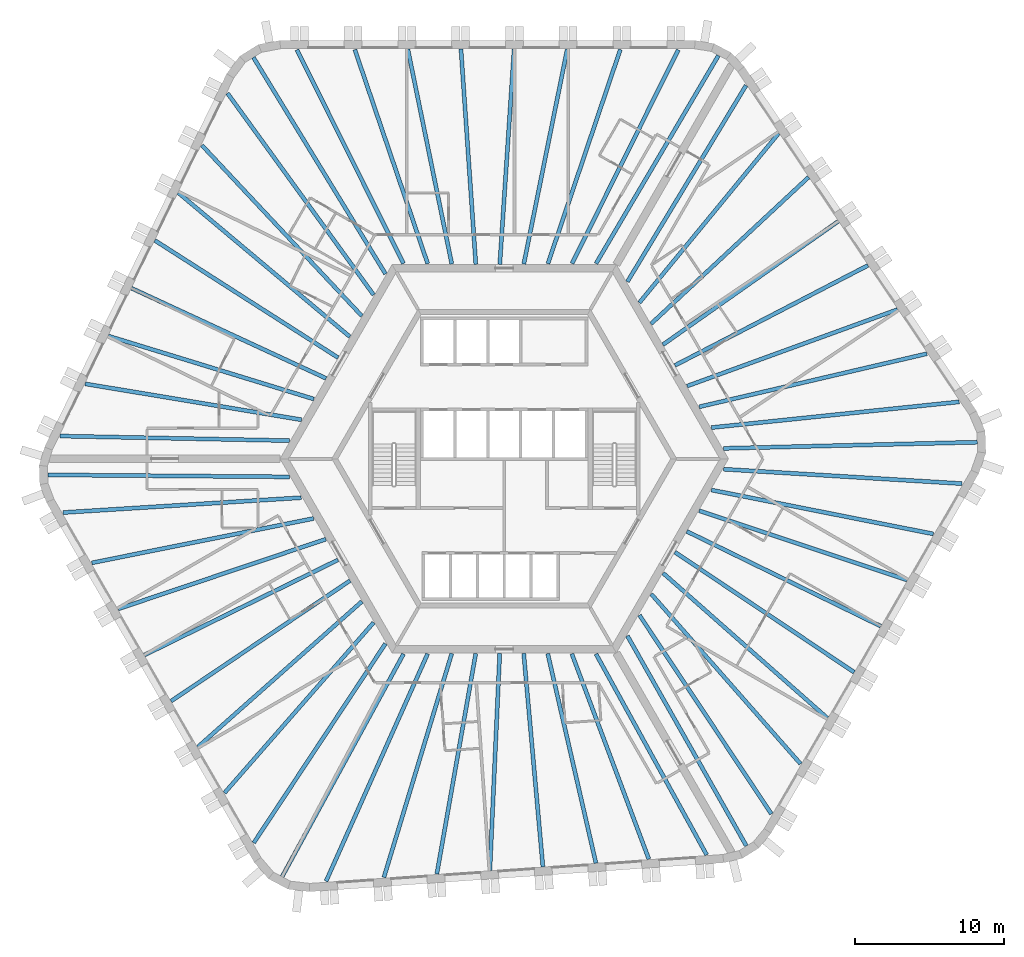
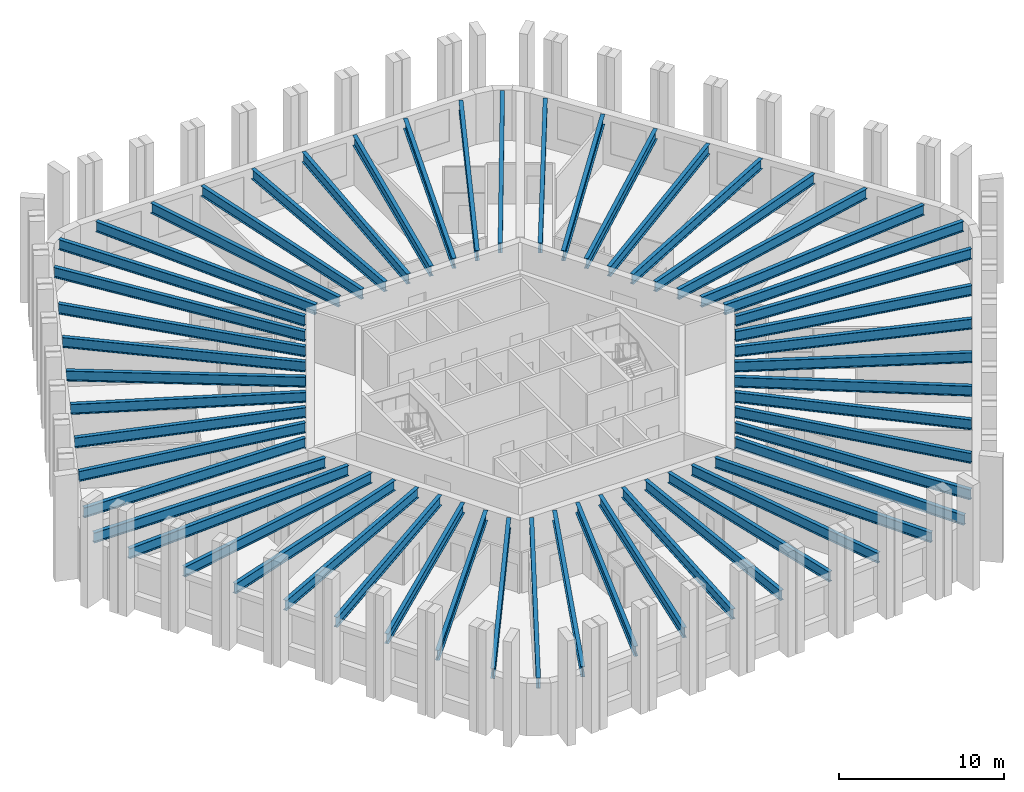
# One storey, part 1 of 11: 54 beams.
"""IFC4 building model written with IfcOpenShell, lengths in metres."""

from ifc_helpers import new_model, si_unit, direction, frame, origin, origin_2d, place, context, subcontext, project, spatial, i_section, extrude, material, material_profile, profile_set, type_object, element, save


model = new_model("IFC4")

# Units and contexts
model_context = context("Model", 3, precision=1e-05, world=origin(), true_north=direction((0.0, 1.0)))
body_context = subcontext(model_context, "Body", "Model", "MODEL_VIEW")
ifc_project = project(units=[si_unit("LENGTHUNIT", "METRE"), si_unit("AREAUNIT", "SQUARE_METRE"), si_unit("VOLUMEUNIT", "CUBIC_METRE"), si_unit("PLANEANGLEUNIT", "RADIAN"), si_unit("MASSUNIT", "GRAM", prefix="KILO")], contexts=[model_context])

# Site, building, storey
site_placement = place(None, origin())
site = spatial("IfcSite", under=ifc_project, at=site_placement, CompositionType="ELEMENT")
building_placement = place(site_placement, origin())
building = spatial("IfcBuilding", under=site, at=building_placement, Name="Tarnside Tower", CompositionType="ELEMENT")
storey_placement = place(building_placement, frame((0.0, 0.0, 207.300048828125)))
storey = spatial("IfcBuildingStorey", under=building, at=storey_placement, Name="L49", CompositionType="ELEMENT", Elevation=207.300048828125)

# Beams
ifc_material = material(Name="Steel S355", Category="steel")
ifc_material_profile_1 = material_profile(ifc_material, i_section(OverallWidth=0.26513671875, OverallDepth=0.75390625, WebThickness=0.0126953125, FlangeThickness=0.017578125, FilletRadius=0.0166015625, at=origin_2d()), Name="UB 762x267x147")
ifc_profile_set_1 = profile_set([ifc_material_profile_1], Name="Steel S355")
beam_type_1 = type_object("IfcBeamType", Name="Floor beam UB 762x267x147", PredefinedType="BEAM", material=ifc_profile_set_1)
beam_1_placement = place(storey_placement, frame((7.77001953125, 27.393310546875, 3.373046875), z_axis=(-0.320362579778, -0.947295000239, 0.0), x_axis=(0.947295000239, -0.320362579778, 0.0)))
element("IfcBeam", 1, at=beam_1_placement, inside=storey, type_object=beam_type_1, Name="Floor beam F1.02", PredefinedType="BEAM", context=body_context, shape_type="SweptSolid", body=[
    extrude(i_section(OverallWidth=0.26513671875, OverallDepth=0.75390625, WebThickness=0.0126953125, FlangeThickness=0.017578125, FilletRadius=0.0166015625, at=origin_2d()), origin(), (0.0, 0.0, 1.0), 15.134033203125),
])
beam_2_placement = place(storey_placement, frame((4.218505859375, 27.410888671875, 3.373046875), z_axis=(-0.19841777413, -0.980117537293, 0.0), x_axis=(0.980117537293, -0.19841777413, 0.0)))
element("IfcBeam", 2, at=beam_2_placement, inside=storey, type_object=beam_type_1, Name="Floor beam F1.03", PredefinedType="BEAM", context=body_context, shape_type="SweptSolid", body=[
    extrude(i_section(OverallWidth=0.26513671875, OverallDepth=0.75390625, WebThickness=0.0126953125, FlangeThickness=0.017578125, FilletRadius=0.0166015625, at=origin_2d()), origin(), (0.0, 0.0, 1.0), 14.6630859375),
])
beam_3_placement = place(storey_placement, frame((0.66259765625, 27.429931640625, 3.373046875), z_axis=(-0.066554914868, -0.997782763585, 0.0), x_axis=(0.997782763585, -0.066554914868, 0.0)))
element("IfcBeam", 3, at=beam_3_placement, inside=storey, type_object=beam_type_1, Name="Floor beam F1.04", PredefinedType="BEAM", context=body_context, shape_type="SweptSolid", body=[
    extrude(i_section(OverallWidth=0.26513671875, OverallDepth=0.75390625, WebThickness=0.0126953125, FlangeThickness=0.017578125, FilletRadius=0.0166015625, at=origin_2d()), origin(), (0.0, 0.0, 1.0), 14.44189453125),
])
beam_4_placement = place(storey_placement, frame((-2.8974609375, 27.429931640625, 3.373046875), z_axis=(0.068876921658, -0.997625164911, 0.0), x_axis=(0.997625164911, 0.068876921658, 0.0)))
element("IfcBeam", 4, at=beam_4_placement, inside=storey, type_object=beam_type_1, Name="Floor beam F1.05", PredefinedType="BEAM", context=body_context, shape_type="SweptSolid", body=[
    extrude(i_section(OverallWidth=0.26513671875, OverallDepth=0.75390625, WebThickness=0.0126953125, FlangeThickness=0.017578125, FilletRadius=0.0166015625, at=origin_2d()), origin(), (0.0, 0.0, 1.0), 14.4443359375),
])
beam_5_placement = place(storey_placement, frame((-6.45361328125, 27.410888671875, 3.373046875), z_axis=(0.200623497398, -0.979668419564, 0.0), x_axis=(0.979668419564, 0.200623497398, 0.0)))
element("IfcBeam", 5, at=beam_5_placement, inside=storey, type_object=beam_type_1, Name="Floor beam F1.06", PredefinedType="BEAM", context=body_context, shape_type="SweptSolid", body=[
    extrude(i_section(OverallWidth=0.26513671875, OverallDepth=0.75390625, WebThickness=0.0126953125, FlangeThickness=0.017578125, FilletRadius=0.0166015625, at=origin_2d()), origin(), (0.0, 0.0, 1.0), 14.669921875),
])
beam_6_placement = place(storey_placement, frame((-10.0048828125, 27.393310546875, 3.373046875), z_axis=(0.322343712034, -0.946622697442, 0.0), x_axis=(0.946622697442, 0.322343712034, 0.0)))
element("IfcBeam", 6, at=beam_6_placement, inside=storey, type_object=beam_type_1, Name="Floor beam F1.07", PredefinedType="BEAM", context=body_context, shape_type="SweptSolid", body=[
    extrude(i_section(OverallWidth=0.26513671875, OverallDepth=0.75390625, WebThickness=0.0126953125, FlangeThickness=0.017578125, FilletRadius=0.0166015625, at=origin_2d()), origin(), (0.0, 0.0, 1.0), 15.144775390625),
])
beam_7_placement = place(storey_placement, frame((-20.241455078125, 20.9892578125, 3.373046875), z_axis=(0.683752330283, -0.729714156936, 0.0), x_axis=(0.729714156936, 0.683752330283, 0.0)))
element("IfcBeam", 7, at=beam_7_placement, inside=storey, type_object=beam_type_1, Name="Floor beam F2.02", PredefinedType="BEAM", context=body_context, shape_type="SweptSolid", body=[
    extrude(i_section(OverallWidth=0.26513671875, OverallDepth=0.75390625, WebThickness=0.0126953125, FlangeThickness=0.017578125, FilletRadius=0.0166015625, at=origin_2d()), origin(), (0.0, 0.0, 1.0), 15.6591796875),
])
beam_8_placement = place(storey_placement, frame((-21.81396484375, 17.80419921875, 3.373046875), z_axis=(0.765948461073, -0.642901979294, 0.0), x_axis=(0.642901979294, 0.765948461073, 0.0)))
element("IfcBeam", 8, at=beam_8_placement, inside=storey, type_object=beam_type_1, Name="Floor beam F2.03", PredefinedType="BEAM", context=body_context, shape_type="SweptSolid", body=[
    extrude(i_section(OverallWidth=0.26513671875, OverallDepth=0.75390625, WebThickness=0.0126953125, FlangeThickness=0.017578125, FilletRadius=0.0166015625, at=origin_2d()), origin(), (0.0, 0.0, 1.0), 14.982177734375),
])
beam_9_placement = place(storey_placement, frame((-23.389892578125, 14.616455078125, 3.373046875), z_axis=(0.842378275633, -0.538886667808, 0.0), x_axis=(0.538886667808, 0.842378275633, 0.0)))
element("IfcBeam", 9, at=beam_9_placement, inside=storey, type_object=beam_type_1, Name="Floor beam F2.04", PredefinedType="BEAM", context=body_context, shape_type="SweptSolid", body=[
    extrude(i_section(OverallWidth=0.26513671875, OverallDepth=0.75390625, WebThickness=0.0126953125, FlangeThickness=0.017578125, FilletRadius=0.0166015625, at=origin_2d()), origin(), (0.0, 0.0, 1.0), 14.5595703125),
])
beam_10_placement = place(storey_placement, frame((-24.9501953125, 11.416748046875, 3.373046875), z_axis=(0.907310131748, -0.420462037321, 0.0), x_axis=(0.420462037321, 0.907310131748, 0.0)))
element("IfcBeam", 10, at=beam_10_placement, inside=storey, type_object=beam_type_1, Name="Floor beam F2.05", PredefinedType="BEAM", context=body_context, shape_type="SweptSolid", body=[
    extrude(i_section(OverallWidth=0.26513671875, OverallDepth=0.75390625, WebThickness=0.0126953125, FlangeThickness=0.017578125, FilletRadius=0.0166015625, at=origin_2d()), origin(), (0.0, 0.0, 1.0), 14.353515625),
])
beam_11_placement = place(storey_placement, frame((-26.510986328125, 8.2177734375, 3.373046875), z_axis=(0.956073348261, -0.293127536654, 0.0), x_axis=(0.293127536654, 0.956073348261, 0.0)))
element("IfcBeam", 11, at=beam_11_placement, inside=storey, type_object=beam_type_1, Name="Floor beam F2.06", PredefinedType="BEAM", context=body_context, shape_type="SweptSolid", body=[
    extrude(i_section(OverallWidth=0.26513671875, OverallDepth=0.75390625, WebThickness=0.0126953125, FlangeThickness=0.017578125, FilletRadius=0.0166015625, at=origin_2d()), origin(), (0.0, 0.0, 1.0), 14.3955078125),
])
beam_12_placement = place(storey_placement, frame((-28.0517578125, 5.015869140625, 3.373046875), z_axis=(0.986476498304, -0.163902770858, 0.0), x_axis=(0.163902770858, 0.986476498304, 0.0)))
element("IfcBeam", 12, at=beam_12_placement, inside=storey, type_object=beam_type_1, Name="Floor beam F2.07", PredefinedType="BEAM", context=body_context, shape_type="SweptSolid", body=[
    extrude(i_section(OverallWidth=0.26513671875, OverallDepth=0.75390625, WebThickness=0.0126953125, FlangeThickness=0.017578125, FilletRadius=0.0166015625, at=origin_2d()), origin(), (0.0, 0.0, 1.0), 14.680908203125),
])
beam_13_placement = place(storey_placement, frame((-29.73828125, 1.521484375, 3.373046875), z_axis=(0.999800142641, -0.019991867701, 0.0), x_axis=(0.019991867701, 0.999800142641, 0.0)))
element("IfcBeam", 13, at=beam_13_placement, inside=storey, type_object=beam_type_1, Name="Floor beam F2.08", PredefinedType="BEAM", context=body_context, shape_type="SweptSolid", body=[
    extrude(i_section(OverallWidth=0.26513671875, OverallDepth=0.75390625, WebThickness=0.0126953125, FlangeThickness=0.017578125, FilletRadius=0.0166015625, at=origin_2d()), origin(), (0.0, 0.0, 1.0), 15.3505859375),
])
beam_14_placement = place(storey_placement, frame((-27.608154296875, -6.967529296875, 3.373046875), z_axis=(0.980564540422, 0.196196794232, 0.0), x_axis=(-0.196196794232, 0.980564540422, 0.0)))
element("IfcBeam", 14, at=beam_14_placement, inside=storey, type_object=beam_type_1, Name="Floor beam F3.02", PredefinedType="BEAM", context=body_context, shape_type="SweptSolid", body=[
    extrude(i_section(OverallWidth=0.26513671875, OverallDepth=0.75390625, WebThickness=0.0126953125, FlangeThickness=0.017578125, FilletRadius=0.0166015625, at=origin_2d()), origin(), (0.0, 0.0, 1.0), 15.134033203125),
])
beam_15_placement = place(storey_placement, frame((-25.84765625, -10.052001953125, 3.373046875), z_axis=(0.948011835322, 0.31823507049, 0.0), x_axis=(-0.31823507049, 0.948011835322, 0.0)))
element("IfcBeam", 15, at=beam_15_placement, inside=storey, type_object=beam_type_1, Name="Floor beam F3.03", PredefinedType="BEAM", context=body_context, shape_type="SweptSolid", body=[
    extrude(i_section(OverallWidth=0.26513671875, OverallDepth=0.75390625, WebThickness=0.0126953125, FlangeThickness=0.017578125, FilletRadius=0.0166015625, at=origin_2d()), origin(), (0.0, 0.0, 1.0), 14.662841796875),
])
beam_16_placement = place(storey_placement, frame((-24.086181640625, -13.141357421875, 3.373046875), z_axis=(0.897375974806, 0.441266767206, 0.0), x_axis=(-0.441266767206, 0.897375974806, 0.0)))
element("IfcBeam", 16, at=beam_16_placement, inside=storey, type_object=beam_type_1, Name="Floor beam F3.04", PredefinedType="BEAM", context=body_context, shape_type="SweptSolid", body=[
    extrude(i_section(OverallWidth=0.26513671875, OverallDepth=0.75390625, WebThickness=0.0126953125, FlangeThickness=0.017578125, FilletRadius=0.0166015625, at=origin_2d()), origin(), (0.0, 0.0, 1.0), 14.442138671875),
])
beam_17_placement = place(storey_placement, frame((-22.306396484375, -16.224365234375, 3.373046875), z_axis=(0.829532486243, 0.558458462437, 0.0), x_axis=(-0.558458462437, 0.829532486243, 0.0)))
element("IfcBeam", 17, at=beam_17_placement, inside=storey, type_object=beam_type_1, Name="Floor beam F3.05", PredefinedType="BEAM", context=body_context, shape_type="SweptSolid", body=[
    extrude(i_section(OverallWidth=0.26513671875, OverallDepth=0.75390625, WebThickness=0.0126953125, FlangeThickness=0.017578125, FilletRadius=0.0166015625, at=origin_2d()), origin(), (0.0, 0.0, 1.0), 14.444580078125),
])
beam_18_placement = place(storey_placement, frame((-20.51171875, -19.294189453125, 3.373046875), z_axis=(0.74811408094, 0.663570133369, 0.0), x_axis=(-0.663570133369, 0.74811408094, 0.0)))
element("IfcBeam", 18, at=beam_18_placement, inside=storey, type_object=beam_type_1, Name="Floor beam F3.06", PredefinedType="BEAM", context=body_context, shape_type="SweptSolid", body=[
    extrude(i_section(OverallWidth=0.26513671875, OverallDepth=0.75390625, WebThickness=0.0126953125, FlangeThickness=0.017578125, FilletRadius=0.0166015625, at=origin_2d()), origin(), (0.0, 0.0, 1.0), 14.669677734375),
])
beam_19_placement = place(storey_placement, frame((-18.720703125, -22.361083984375, 3.373046875), z_axis=(0.658621010302, 0.752474826681, 0.0), x_axis=(-0.752474826681, 0.658621010302, 0.0)))
element("IfcBeam", 19, at=beam_19_placement, inside=storey, type_object=beam_type_1, Name="Floor beam F3.07", PredefinedType="BEAM", context=body_context, shape_type="SweptSolid", body=[
    extrude(i_section(OverallWidth=0.26513671875, OverallDepth=0.75390625, WebThickness=0.0126953125, FlangeThickness=0.017578125, FilletRadius=0.0166015625, at=origin_2d()), origin(), (0.0, 0.0, 1.0), 15.144775390625),
])
beam_20_placement = place(storey_placement, frame((-8.056396484375, -28.024169921875, 3.373046875), z_axis=(0.290070138838, 0.957005388989, 0.0), x_axis=(-0.957005388989, 0.290070138838, 0.0)))
element("IfcBeam", 20, at=beam_20_placement, inside=storey, type_object=beam_type_1, Name="Floor beam F4.02", PredefinedType="BEAM", context=body_context, shape_type="SweptSolid", body=[
    extrude(i_section(OverallWidth=0.26513671875, OverallDepth=0.75390625, WebThickness=0.0126953125, FlangeThickness=0.017578125, FilletRadius=0.0166015625, at=origin_2d()), origin(), (0.0, 0.0, 1.0), 15.6591796875),
])
beam_21_placement = place(storey_placement, frame((-4.511962890625, -27.793701171875, 3.373046875), z_axis=(0.173788122681, 0.984783066678, 0.0), x_axis=(-0.984783066678, 0.173788122681, 0.0)))
element("IfcBeam", 21, at=beam_21_placement, inside=storey, type_object=beam_type_1, Name="Floor beam F4.03", PredefinedType="BEAM", context=body_context, shape_type="SweptSolid", body=[
    extrude(i_section(OverallWidth=0.26513671875, OverallDepth=0.75390625, WebThickness=0.0126953125, FlangeThickness=0.017578125, FilletRadius=0.0166015625, at=origin_2d()), origin(), (0.0, 0.0, 1.0), 14.982421875),
])
beam_22_placement = place(storey_placement, frame((-0.96337890625, -27.564453125, 3.373046875), z_axis=(0.045509585226, 0.998963902077, 0.0), x_axis=(-0.998963902077, 0.045509585226, 0.0)))
element("IfcBeam", 22, at=beam_22_placement, inside=storey, type_object=beam_type_1, Name="Floor beam F4.04", PredefinedType="BEAM", context=body_context, shape_type="SweptSolid", body=[
    extrude(i_section(OverallWidth=0.26513671875, OverallDepth=0.75390625, WebThickness=0.0126953125, FlangeThickness=0.017578125, FilletRadius=0.0166015625, at=origin_2d()), origin(), (0.0, 0.0, 1.0), 14.5595703125),
])
beam_23_placement = place(storey_placement, frame((2.587890625, -27.31591796875, 3.373046875), z_axis=(-0.089518916897, 0.995985122137, 0.0), x_axis=(-0.995985122137, -0.089518916897, 0.0)))
element("IfcBeam", 23, at=beam_23_placement, inside=storey, type_object=beam_type_1, Name="Floor beam F4.05", PredefinedType="BEAM", context=body_context, shape_type="SweptSolid", body=[
    extrude(i_section(OverallWidth=0.26513671875, OverallDepth=0.75390625, WebThickness=0.0126953125, FlangeThickness=0.017578125, FilletRadius=0.0166015625, at=origin_2d()), origin(), (0.0, 0.0, 1.0), 14.353515625),
])
beam_24_placement = place(storey_placement, frame((6.138671875, -27.068115234375, 3.373046875), z_axis=(-0.224188122435, 0.974545886944, 0.0), x_axis=(-0.974545886944, -0.224188122435, 0.0)))
element("IfcBeam", 24, at=beam_24_placement, inside=storey, type_object=beam_type_1, Name="Floor beam F4.06", PredefinedType="BEAM", context=body_context, shape_type="SweptSolid", body=[
    extrude(i_section(OverallWidth=0.26513671875, OverallDepth=0.75390625, WebThickness=0.0126953125, FlangeThickness=0.017578125, FilletRadius=0.0166015625, at=origin_2d()), origin(), (0.0, 0.0, 1.0), 14.3955078125),
])
beam_25_placement = place(storey_placement, frame((9.681884765625, -26.801513671875, 3.373046875), z_axis=(-0.351271055087, 0.936273809234, 0.0), x_axis=(-0.936273809234, -0.351271055087, 0.0)))
element("IfcBeam", 25, at=beam_25_placement, inside=storey, type_object=beam_type_1, Name="Floor beam F4.07", PredefinedType="BEAM", context=body_context, shape_type="SweptSolid", body=[
    extrude(i_section(OverallWidth=0.26513671875, OverallDepth=0.75390625, WebThickness=0.0126953125, FlangeThickness=0.017578125, FilletRadius=0.0166015625, at=origin_2d()), origin(), (0.0, 0.0, 1.0), 14.680908203125),
])
beam_26_placement = place(storey_placement, frame((13.551513671875, -26.514892578125, 3.373046875), z_axis=(-0.482584088089, 0.875849643445, 0.0), x_axis=(-0.875849643445, -0.482584088089, 0.0)))
element("IfcBeam", 26, at=beam_26_placement, inside=storey, type_object=beam_type_1, Name="Floor beam F4.08", PredefinedType="BEAM", context=body_context, shape_type="SweptSolid", body=[
    extrude(i_section(OverallWidth=0.26513671875, OverallDepth=0.75390625, WebThickness=0.0126953125, FlangeThickness=0.017578125, FilletRadius=0.0166015625, at=origin_2d()), origin(), (0.0, 0.0, 1.0), 15.3505859375),
])
beam_27_placement = place(storey_placement, frame((19.838134765625, -20.425537109375, 3.373046875), z_axis=(-0.660201214512, 0.751088780609, 0.0), x_axis=(-0.751088780609, -0.660201214512, 0.0)))
element("IfcBeam", 27, at=beam_27_placement, inside=storey, type_object=beam_type_1, Name="Floor beam F5.02", PredefinedType="BEAM", context=body_context, shape_type="SweptSolid", body=[
    extrude(i_section(OverallWidth=0.26513671875, OverallDepth=0.75390625, WebThickness=0.0126953125, FlangeThickness=0.017578125, FilletRadius=0.0166015625, at=origin_2d()), origin(), (0.0, 0.0, 1.0), 15.134033203125),
])
beam_28_placement = place(storey_placement, frame((21.629150390625, -17.358642578125, 3.373046875), z_axis=(-0.749601662028, 0.661889226597, 0.0), x_axis=(-0.661889226597, -0.749601662028, 0.0)))
element("IfcBeam", 28, at=beam_28_placement, inside=storey, type_object=beam_type_1, Name="Floor beam F5.03", PredefinedType="BEAM", context=body_context, shape_type="SweptSolid", body=[
    extrude(i_section(OverallWidth=0.26513671875, OverallDepth=0.75390625, WebThickness=0.0126953125, FlangeThickness=0.017578125, FilletRadius=0.0166015625, at=origin_2d()), origin(), (0.0, 0.0, 1.0), 14.6630859375),
])
beam_29_placement = place(storey_placement, frame((23.423828125, -14.288818359375, 3.373046875), z_axis=(-0.830825943553, 0.556532345439, 0.0), x_axis=(-0.556532345439, -0.830825943553, 0.0)))
element("IfcBeam", 29, at=beam_29_placement, inside=storey, type_object=beam_type_1, Name="Floor beam F5.04", PredefinedType="BEAM", context=body_context, shape_type="SweptSolid", body=[
    extrude(i_section(OverallWidth=0.26513671875, OverallDepth=0.75390625, WebThickness=0.0126953125, FlangeThickness=0.017578125, FilletRadius=0.0166015625, at=origin_2d()), origin(), (0.0, 0.0, 1.0), 14.4423828125),
])
beam_30_placement = place(storey_placement, frame((25.203857421875, -11.205810546875, 3.373046875), z_axis=(-0.898407034897, 0.43916375038, 0.0), x_axis=(-0.43916375038, -0.898407034897, 0.0)))
element("IfcBeam", 30, at=beam_30_placement, inside=storey, type_object=beam_type_1, Name="Floor beam F5.05", PredefinedType="BEAM", context=body_context, shape_type="SweptSolid", body=[
    extrude(i_section(OverallWidth=0.26513671875, OverallDepth=0.75390625, WebThickness=0.0126953125, FlangeThickness=0.017578125, FilletRadius=0.0166015625, at=origin_2d()), origin(), (0.0, 0.0, 1.0), 14.444580078125),
])
beam_31_placement = place(storey_placement, frame((26.965087890625, -8.116455078125, 3.373046875), z_axis=(-0.948728223501, 0.31609295774, 0.0), x_axis=(-0.31609295774, -0.948728223501, 0.0)))
element("IfcBeam", 31, at=beam_31_placement, inside=storey, type_object=beam_type_1, Name="Floor beam F5.06", PredefinedType="BEAM", context=body_context, shape_type="SweptSolid", body=[
    extrude(i_section(OverallWidth=0.26513671875, OverallDepth=0.75390625, WebThickness=0.0126953125, FlangeThickness=0.017578125, FilletRadius=0.0166015625, at=origin_2d()), origin(), (0.0, 0.0, 1.0), 14.669677734375),
])
beam_32_placement = place(storey_placement, frame((28.7255859375, -5.031982421875, 3.373046875), z_axis=(-0.980974250646, 0.194137888034, 0.0), x_axis=(-0.194137888034, -0.980974250646, 0.0)))
element("IfcBeam", 32, at=beam_32_placement, inside=storey, type_object=beam_type_1, Name="Floor beam F5.07", PredefinedType="BEAM", context=body_context, shape_type="SweptSolid", body=[
    extrude(i_section(OverallWidth=0.26513671875, OverallDepth=0.75390625, WebThickness=0.0126953125, FlangeThickness=0.017578125, FilletRadius=0.0166015625, at=origin_2d()), origin(), (0.0, 0.0, 1.0), 15.144775390625),
])
beam_33_placement = place(storey_placement, frame((28.2978515625, 7.034912109375, 3.373046875), z_axis=(-0.973828212928, -0.227285309042, 0.0), x_axis=(0.227285309042, -0.973828212928, 0.0)))
element("IfcBeam", 33, at=beam_33_placement, inside=storey, type_object=beam_type_1, Name="Floor beam F6.02", PredefinedType="BEAM", context=body_context, shape_type="SweptSolid", body=[
    extrude(i_section(OverallWidth=0.26513671875, OverallDepth=0.75390625, WebThickness=0.0126953125, FlangeThickness=0.017578125, FilletRadius=0.0166015625, at=origin_2d()), origin(), (0.0, 0.0, 1.0), 15.6591796875),
])
beam_34_placement = place(storey_placement, frame((26.325927734375, 9.989501953125, 3.373046875), z_axis=(-0.939738697004, -0.341893523415, 0.0), x_axis=(0.341893523415, -0.939738697004, 0.0)))
element("IfcBeam", 34, at=beam_34_placement, inside=storey, type_object=beam_type_1, Name="Floor beam F6.03", PredefinedType="BEAM", context=body_context, shape_type="SweptSolid", body=[
    extrude(i_section(OverallWidth=0.26513671875, OverallDepth=0.75390625, WebThickness=0.0126953125, FlangeThickness=0.017578125, FilletRadius=0.0166015625, at=origin_2d()), origin(), (0.0, 0.0, 1.0), 14.982177734375),
])
beam_35_placement = place(storey_placement, frame((24.353271484375, 12.947998046875, 3.373046875), z_axis=(-0.887881646639, -0.460071930856, 0.0), x_axis=(0.460071930856, -0.887881646639, 0.0)))
element("IfcBeam", 35, at=beam_35_placement, inside=storey, type_object=beam_type_1, Name="Floor beam F6.04", PredefinedType="BEAM", context=body_context, shape_type="SweptSolid", body=[
    extrude(i_section(OverallWidth=0.26513671875, OverallDepth=0.75390625, WebThickness=0.0126953125, FlangeThickness=0.017578125, FilletRadius=0.0166015625, at=origin_2d()), origin(), (0.0, 0.0, 1.0), 14.5595703125),
])
beam_36_placement = place(storey_placement, frame((22.3623046875, 15.899169921875, 3.373046875), z_axis=(-0.817791001708, -0.575515314762, 0.0), x_axis=(0.575515314762, -0.817791001708, 0.0)))
element("IfcBeam", 36, at=beam_36_placement, inside=storey, type_object=beam_type_1, Name="Floor beam F6.05", PredefinedType="BEAM", context=body_context, shape_type="SweptSolid", body=[
    extrude(i_section(OverallWidth=0.26513671875, OverallDepth=0.75390625, WebThickness=0.0126953125, FlangeThickness=0.017578125, FilletRadius=0.0166015625, at=origin_2d()), origin(), (0.0, 0.0, 1.0), 14.353759765625),
])
beam_37_placement = place(storey_placement, frame((20.372314453125, 18.850341796875, 3.373046875), z_axis=(-0.731892224456, -0.681420407517, 0.0), x_axis=(0.681420407517, -0.731892224456, 0.0)))
element("IfcBeam", 37, at=beam_37_placement, inside=storey, type_object=beam_type_1, Name="Floor beam F6.06", PredefinedType="BEAM", context=body_context, shape_type="SweptSolid", body=[
    extrude(i_section(OverallWidth=0.26513671875, OverallDepth=0.75390625, WebThickness=0.0126953125, FlangeThickness=0.017578125, FilletRadius=0.0166015625, at=origin_2d()), origin(), (0.0, 0.0, 1.0), 14.3955078125),
])
beam_38_placement = place(storey_placement, frame((18.369873046875, 21.78564453125, 3.373046875), z_axis=(-0.635191827457, -0.772354414975, 0.0), x_axis=(0.772354414975, -0.635191827457, 0.0)))
element("IfcBeam", 38, at=beam_38_placement, inside=storey, type_object=beam_type_1, Name="Floor beam F6.07", PredefinedType="BEAM", context=body_context, shape_type="SweptSolid", body=[
    extrude(i_section(OverallWidth=0.26513671875, OverallDepth=0.75390625, WebThickness=0.0126953125, FlangeThickness=0.017578125, FilletRadius=0.0166015625, at=origin_2d()), origin(), (0.0, 0.0, 1.0), 14.680908203125),
])
beam_39_placement = place(storey_placement, frame((16.186767578125, 24.993408203125, 3.373046875), z_axis=(-0.517208605106, -0.855859368591, 0.0), x_axis=(0.855859368591, -0.517208605106, 0.0)))
element("IfcBeam", 39, at=beam_39_placement, inside=storey, type_object=beam_type_1, Name="Floor beam F6.08", PredefinedType="BEAM", context=body_context, shape_type="SweptSolid", body=[
    extrude(i_section(OverallWidth=0.26513671875, OverallDepth=0.75390625, WebThickness=0.0126953125, FlangeThickness=0.017578125, FilletRadius=0.0166015625, at=origin_2d()), origin(), (0.0, 0.0, 1.0), 15.3505859375),
])
ifc_material_profile_2 = material_profile(ifc_material, i_section(OverallWidth=0.2666015625, OverallDepth=0.76220703125, WebThickness=0.014404296875, FlangeThickness=0.021484375, FilletRadius=0.0166015625, at=origin_2d()), Name="UB 762x267x173")
ifc_profile_set_2 = profile_set([ifc_material_profile_2], Name="Steel S355")
beam_type_2 = type_object("IfcBeamType", Name="Floor beam UB 762x267x173", PredefinedType="BEAM", material=ifc_profile_set_2)
beam_40_placement = place(storey_placement, frame((11.6494140625, 27.37841796875, 3.368896484375), z_axis=(-0.445042310328, -0.895509543231, 0.0), x_axis=(0.895509543231, -0.445042310328, 0.0)))
element("IfcBeam", 40, at=beam_40_placement, inside=storey, type_object=beam_type_2, Name="Floor beam F1.01", PredefinedType="BEAM", context=body_context, shape_type="SweptSolid", body=[
    extrude(i_section(OverallWidth=0.2666015625, OverallDepth=0.76220703125, WebThickness=0.014404296875, FlangeThickness=0.021484375, FilletRadius=0.0166015625, at=origin_2d()), origin(), (0.0, 0.0, 1.0), 15.976318359375),
])
beam_41_placement = place(storey_placement, frame((-13.884521484375, 27.37841796875, 3.368896484375), z_axis=(0.44673108957, -0.894668281326, 0.0), x_axis=(0.894668281326, 0.44673108957, 0.0)))
element("IfcBeam", 41, at=beam_41_placement, inside=storey, type_object=beam_type_2, Name="Floor beam F1.08", PredefinedType="BEAM", context=body_context, shape_type="SweptSolid", body=[
    extrude(i_section(OverallWidth=0.2666015625, OverallDepth=0.76220703125, WebThickness=0.014404296875, FlangeThickness=0.021484375, FilletRadius=0.0166015625, at=origin_2d()), origin(), (0.0, 0.0, 1.0), 15.9912109375),
])
beam_42_placement = place(storey_placement, frame((-16.79345703125, 26.86962890625, 3.368896484375), z_axis=(0.520940467881, -0.853593011291, 0.0), x_axis=(0.853593011291, 0.520940467881, 0.0)))
element("IfcBeam", 42, at=beam_42_placement, inside=storey, type_object=beam_type_2, Name="Floor beam C1", PredefinedType="BEAM", context=body_context, shape_type="SweptSolid", body=[
    extrude(i_section(OverallWidth=0.2666015625, OverallDepth=0.76220703125, WebThickness=0.014404296875, FlangeThickness=0.021484375, FilletRadius=0.0166015625, at=origin_2d()), origin(), (0.0, 0.0, 1.0), 16.980712890625),
])
beam_43_placement = place(storey_placement, frame((-18.52685546875, 24.471435546875, 3.368896484375), z_axis=(0.586791943415, -0.80973774467, 0.0), x_axis=(0.80973774467, 0.586791943415, 0.0)))
element("IfcBeam", 43, at=beam_43_placement, inside=storey, type_object=beam_type_2, Name="Floor beam F2.01", PredefinedType="BEAM", context=body_context, shape_type="SweptSolid", body=[
    extrude(i_section(OverallWidth=0.2666015625, OverallDepth=0.76220703125, WebThickness=0.014404296875, FlangeThickness=0.021484375, FilletRadius=0.0166015625, at=origin_2d()), origin(), (0.0, 0.0, 1.0), 16.67578125),
])
beam_44_placement = place(storey_placement, frame((-30.543212890625, -1.079345703125, 3.368896484375), z_axis=(0.999966072652, -0.008237326324, 0.0), x_axis=(0.008237326324, 0.999966072652, 0.0)))
element("IfcBeam", 44, at=beam_44_placement, inside=storey, type_object=beam_type_2, Name="Floor beam C2", PredefinedType="BEAM", context=body_context, shape_type="SweptSolid", body=[
    extrude(i_section(OverallWidth=0.2666015625, OverallDepth=0.76220703125, WebThickness=0.014404296875, FlangeThickness=0.021484375, FilletRadius=0.0166015625, at=origin_2d()), origin(), (0.0, 0.0, 1.0), 16.15283203125),
])
beam_45_placement = place(storey_placement, frame((-29.534912109375, -3.6005859375, 3.368896484375), z_axis=(0.99805531279, 0.062334521832, 0.0), x_axis=(-0.062334521832, 0.99805531279, 0.0)))
element("IfcBeam", 45, at=beam_45_placement, inside=storey, type_object=beam_type_2, Name="Floor beam F3.01", PredefinedType="BEAM", context=body_context, shape_type="SweptSolid", body=[
    extrude(i_section(OverallWidth=0.2666015625, OverallDepth=0.76220703125, WebThickness=0.014404296875, FlangeThickness=0.021484375, FilletRadius=0.0166015625, at=origin_2d()), origin(), (0.0, 0.0, 1.0), 15.975830078125),
])
beam_46_placement = place(storey_placement, frame((-16.768310546875, -25.71337890625, 3.368896484375), z_axis=(0.551447600123, 0.834209532623, 0.0), x_axis=(-0.834209532623, 0.551447600123, 0.0)))
element("IfcBeam", 46, at=beam_46_placement, inside=storey, type_object=beam_type_2, Name="Floor beam F3.08", PredefinedType="BEAM", context=body_context, shape_type="SweptSolid", body=[
    extrude(i_section(OverallWidth=0.2666015625, OverallDepth=0.76220703125, WebThickness=0.014404296875, FlangeThickness=0.021484375, FilletRadius=0.0166015625, at=origin_2d()), origin(), (0.0, 0.0, 1.0), 15.9912109375),
])
beam_47_placement = place(storey_placement, frame((-14.873046875, -27.978515625, 3.368896484375), z_axis=(0.478767512404, 0.877941723047, 0.0), x_axis=(-0.877941723047, 0.478767512404, 0.0)))
element("IfcBeam", 47, at=beam_47_placement, inside=storey, type_object=beam_type_2, Name="Floor beam C3", PredefinedType="BEAM", context=body_context, shape_type="SweptSolid", body=[
    extrude(i_section(OverallWidth=0.2666015625, OverallDepth=0.76220703125, WebThickness=0.014404296875, FlangeThickness=0.021484375, FilletRadius=0.0166015625, at=origin_2d()), origin(), (0.0, 0.0, 1.0), 16.98095703125),
])
beam_48_placement = place(storey_placement, frame((-11.929443359375, -28.280517578125, 3.368896484375), z_axis=(0.407852035629, 0.913048036542, 0.0), x_axis=(-0.913048036542, 0.407852035629, 0.0)))
element("IfcBeam", 48, at=beam_48_placement, inside=storey, type_object=beam_type_2, Name="Floor beam F4.01", PredefinedType="BEAM", context=body_context, shape_type="SweptSolid", body=[
    extrude(i_section(OverallWidth=0.2666015625, OverallDepth=0.76220703125, WebThickness=0.014404296875, FlangeThickness=0.021484375, FilletRadius=0.0166015625, at=origin_2d()), origin(), (0.0, 0.0, 1.0), 16.67578125),
])
beam_49_placement = place(storey_placement, frame((16.206298828125, -25.91162109375, 3.368896484375), z_axis=(-0.492847437034, 0.870115741616, 0.0), x_axis=(-0.870115741616, -0.492847437034, 0.0)))
element("IfcBeam", 49, at=beam_49_placement, inside=storey, type_object=beam_type_2, Name="Floor beam C4", PredefinedType="BEAM", context=body_context, shape_type="SweptSolid", body=[
    extrude(i_section(OverallWidth=0.2666015625, OverallDepth=0.76220703125, WebThickness=0.014404296875, FlangeThickness=0.021484375, FilletRadius=0.0166015625, at=origin_2d()), origin(), (0.0, 0.0, 1.0), 16.15283203125),
])
beam_50_placement = place(storey_placement, frame((17.8857421875, -23.77783203125, 3.368896484375), z_axis=(-0.553013371197, 0.833172377889, 0.0), x_axis=(-0.833172377889, -0.553013371197, 0.0)))
element("IfcBeam", 50, at=beam_50_placement, inside=storey, type_object=beam_type_2, Name="Floor beam F5.01", PredefinedType="BEAM", context=body_context, shape_type="SweptSolid", body=[
    extrude(i_section(OverallWidth=0.2666015625, OverallDepth=0.76220703125, WebThickness=0.014404296875, FlangeThickness=0.021484375, FilletRadius=0.0166015625, at=origin_2d()), origin(), (0.0, 0.0, 1.0), 15.97607421875),
])
beam_51_placement = place(storey_placement, frame((30.652587890625, -1.6650390625, 3.368896484375), z_axis=(-0.998170730858, 0.060458184371, 0.0), x_axis=(-0.060458184371, -0.998170730858, 0.0)))
element("IfcBeam", 51, at=beam_51_placement, inside=storey, type_object=beam_type_2, Name="Floor beam F5.08", PredefinedType="BEAM", context=body_context, shape_type="SweptSolid", body=[
    extrude(i_section(OverallWidth=0.2666015625, OverallDepth=0.76220703125, WebThickness=0.014404296875, FlangeThickness=0.021484375, FilletRadius=0.0166015625, at=origin_2d()), origin(), (0.0, 0.0, 1.0), 15.9912109375),
])
beam_52_placement = place(storey_placement, frame((31.66650390625, 1.108642578125, 3.368896484375), z_axis=(-0.999703706976, -0.024341287118, 0.0), x_axis=(0.024341287118, -0.999703706976, 0.0)))
element("IfcBeam", 52, at=beam_52_placement, inside=storey, type_object=beam_type_2, Name="Floor beam C5", PredefinedType="BEAM", context=body_context, shape_type="SweptSolid", body=[
    extrude(i_section(OverallWidth=0.2666015625, OverallDepth=0.76220703125, WebThickness=0.014404296875, FlangeThickness=0.021484375, FilletRadius=0.0166015625, at=origin_2d()), origin(), (0.0, 0.0, 1.0), 16.980712890625),
])
beam_53_placement = place(storey_placement, frame((30.456298828125, 3.80908203125, 3.368896484375), z_axis=(-0.994648352349, -0.103318222829, 0.0), x_axis=(0.103318222829, -0.994648352349, 0.0)))
element("IfcBeam", 53, at=beam_53_placement, inside=storey, type_object=beam_type_2, Name="Floor beam F6.01", PredefinedType="BEAM", context=body_context, shape_type="SweptSolid", body=[
    extrude(i_section(OverallWidth=0.2666015625, OverallDepth=0.76220703125, WebThickness=0.014404296875, FlangeThickness=0.021484375, FilletRadius=0.0166015625, at=origin_2d()), origin(), (0.0, 0.0, 1.0), 16.67578125),
])
beam_54_placement = place(storey_placement, frame((14.3369140625, 26.990966796875, 3.368896484375), z_axis=(-0.507115238706, -0.861878259775, 0.0), x_axis=(0.861878259775, -0.507115238706, 0.0)))
element("IfcBeam", 54, at=beam_54_placement, inside=storey, type_object=beam_type_2, Name="Floor beam C6", PredefinedType="BEAM", context=body_context, shape_type="SweptSolid", body=[
    extrude(i_section(OverallWidth=0.2666015625, OverallDepth=0.76220703125, WebThickness=0.014404296875, FlangeThickness=0.021484375, FilletRadius=0.0166015625, at=origin_2d()), origin(), (0.0, 0.0, 1.0), 16.15283203125),
])

save(model, "model.ifc")
